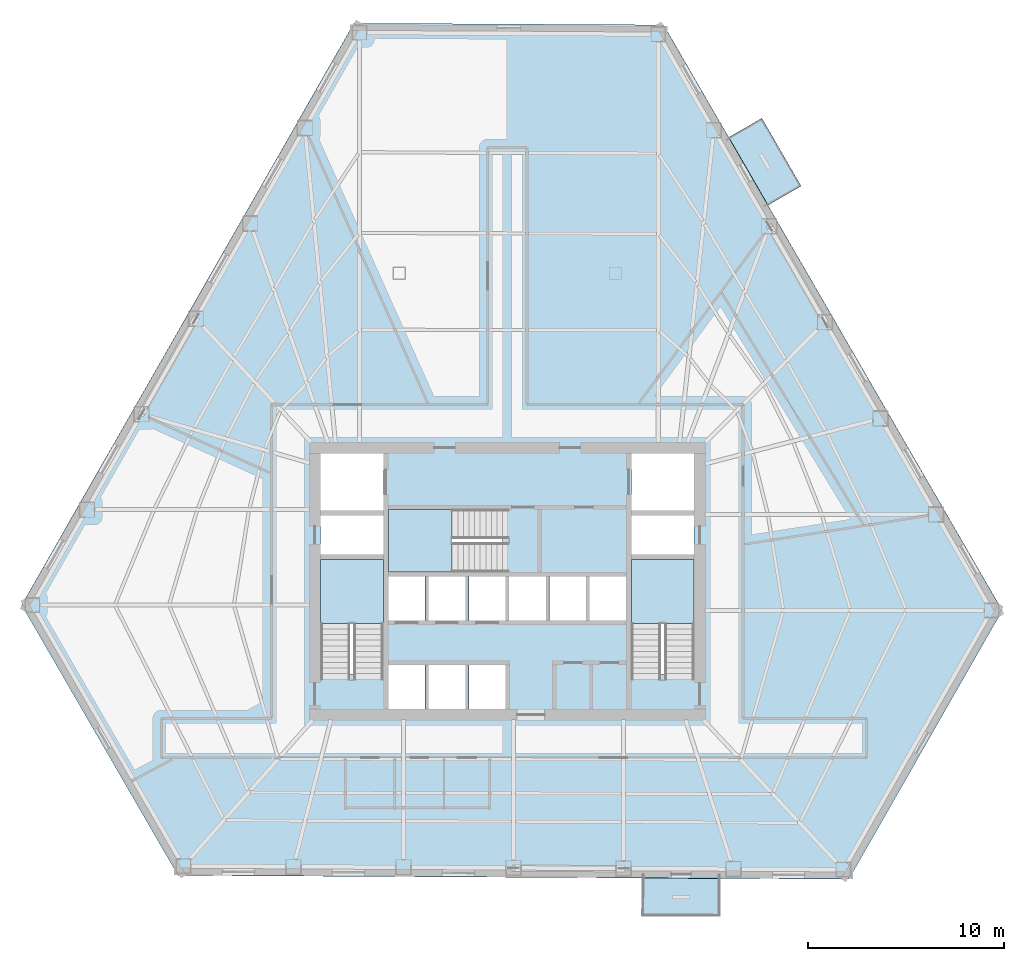
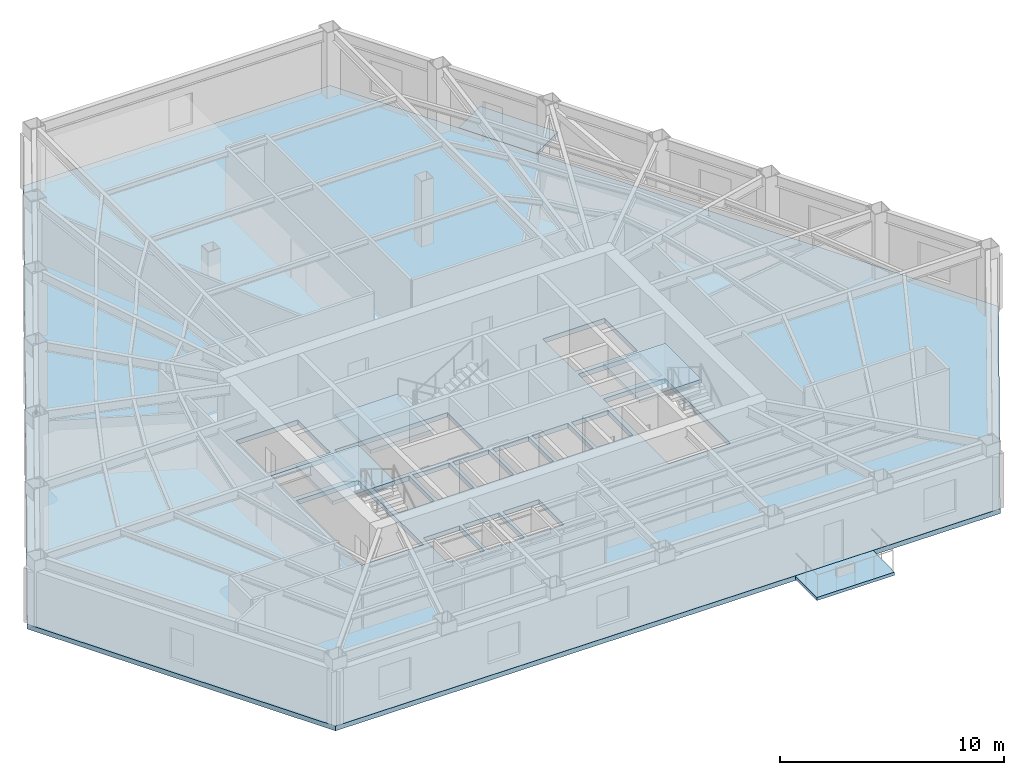
# One storey, part 3 of 12: 6 slabs, 3 elements without a shape of their own.
"""IFC4 building model written with IfcOpenShell, lengths in metres."""

import ifcopenshell
import ifcopenshell.guid

model = None  # the IFC model being written
_history = None  # IfcOwnerHistory: only IFC2X3 demands one
_inside = {}  # id of a spatial element -> (the spatial element, [elements in it])
_under = {}  # id of a project, library or spatial element -> (it, [spatial elements below it])
_declared = {}  # id of a project -> (the project, [libraries it declares])
_typed = {}  # id of a type object -> (the type object, [elements of that type])
_made_of = {}  # id of a material, layer set ... -> (it, [elements and type objects made of it])


def new_model(schema):
    """Start an empty IFC model of exactly this schema.

    Asked for "IFC4X3", IfcOpenShell would pick the latest addendum, in which some entities
    have other attributes; the version numbers below select the first issue.
    IFC2X3 requires an IfcOwnerHistory on every rooted entity: one is made here for all.
    """
    global model, _history
    if schema == "IFC4X3":
        model = ifcopenshell.file(schema_version=(4, 3, 0, 0))
    else:
        model = ifcopenshell.file(schema=schema)
    _inside.clear()
    _under.clear()
    _declared.clear()
    _typed.clear()
    _made_of.clear()
    _history = None
    if model.schema == "IFC2X3":
        org = make("IfcOrganization", Name="unknown")
        user = make(
            "IfcPersonAndOrganization",
            ThePerson=make("IfcPerson", FamilyName="unknown"),
            TheOrganization=org,
        )
        app = make(
            "IfcApplication",
            ApplicationDeveloper=org,
            Version="unknown",
            ApplicationFullName="unknown",
            ApplicationIdentifier="unknown",
        )
        _history = make(
            "IfcOwnerHistory",
            OwningUser=user,
            OwningApplication=app,
            ChangeAction="ADDED",
            CreationDate=0,
        )
    return model


def make(cls, **values):
    """One entity of the class cls with the attributes given. An attribute that is None is left unset."""
    return model.create_entity(
        cls, **{name: value for name, value in values.items() if value is not None}
    )


def rooted(cls, **values):
    """An entity with a GlobalId (a new one), such as an element, a storey or a relation."""
    return make(cls, GlobalId=ifcopenshell.guid.new(), OwnerHistory=_history, **values)


def si_unit(unit_type, name, prefix=None):
    """IfcSIUnit, for example si_unit("LENGTHUNIT", "METRE", prefix="MILLI")."""
    return make("IfcSIUnit", UnitType=unit_type, Prefix=prefix, Name=name)


def assignment(units):
    """IfcUnitAssignment: the units of a project."""
    return None if units is None else make("IfcUnitAssignment", Units=units)


def point(xyz):
    """IfcCartesianPoint."""
    return None if xyz is None else make("IfcCartesianPoint", Coordinates=xyz)


def direction(xyz):
    """IfcDirection."""
    return None if xyz is None else make("IfcDirection", DirectionRatios=xyz)


def frame(location, z_axis=None, x_axis=None):
    """IfcAxis2Placement3D, a coordinate frame: its origin and axes. An axis left out is left unset."""
    return make(
        "IfcAxis2Placement3D",
        Location=point(location),
        Axis=direction(z_axis),
        RefDirection=direction(x_axis),
    )


def origin():
    """The frame at (0, 0, 0) with its axes left unset."""
    return frame((0.0, 0.0, 0.0))


def place(relative_to, where):
    """IfcLocalPlacement: puts the frame where relative to a parent placement (None: the world)."""
    return make(
        "IfcLocalPlacement", PlacementRelTo=relative_to, RelativePlacement=where
    )


def context(
    kind, dimensions, precision=None, world=None, true_north=None, identifier=None
):
    """IfcGeometricRepresentationContext, for example the 3D "Model" context."""
    return make(
        "IfcGeometricRepresentationContext",
        ContextIdentifier=identifier,
        ContextType=kind,
        CoordinateSpaceDimension=dimensions,
        Precision=precision,
        WorldCoordinateSystem=world,
        TrueNorth=true_north,
    )


def subcontext(parent, identifier, kind, view, scale=None):
    """IfcGeometricRepresentationSubContext, for example "Body" below "Model"."""
    return make(
        "IfcGeometricRepresentationSubContext",
        ContextIdentifier=identifier,
        ContextType=kind,
        ParentContext=parent,
        TargetScale=scale,
        TargetView=view,
    )


def project(units=None, contexts=None):
    """IfcProject with its units and contexts."""
    return rooted(
        "IfcProject",
        Name="project",
        RepresentationContexts=contexts,
        UnitsInContext=assignment(units),
    )


def spatial(cls, under=None, at=None, **own):
    """A site, building, storey or space (cls), placed at a placement, below another one or the project."""
    s = rooted(cls, ObjectPlacement=at, **own)
    if under is not None:
        _under.setdefault(under.id(), (under, []))[1].append(s)
    return s


def polyline(points):
    """IfcPolyline through the points."""
    return make("IfcPolyline", Points=[point(p) for p in points])


def outline(outer, holes=None, kind="AREA"):
    """IfcArbitraryClosedProfileDef: a profile drawn as a closed curve; with holes, ...WithVoids."""
    if holes is None:
        return make("IfcArbitraryClosedProfileDef", ProfileType=kind, OuterCurve=outer)
    return make(
        "IfcArbitraryProfileDefWithVoids",
        ProfileType=kind,
        OuterCurve=outer,
        InnerCurves=holes,
    )


def extrude(swept, where, along, depth):
    """IfcExtrudedAreaSolid: the profile swept, set in the frame where, extruded along a direction by depth."""
    return make(
        "IfcExtrudedAreaSolid",
        SweptArea=swept,
        Position=where,
        ExtrudedDirection=direction(along),
        Depth=depth,
    )


def shape(context_of_items, identifier, shape_type, items):
    """IfcShapeRepresentation: the items that make up one representation, for example the "Body"."""
    return make(
        "IfcShapeRepresentation",
        ContextOfItems=context_of_items,
        RepresentationIdentifier=identifier,
        RepresentationType=shape_type,
        Items=items,
    )


def material(Name=None, Category=None):
    """IfcMaterial."""
    return make("IfcMaterial", Name=Name, Category=Category)


def layer(
    of_material, thickness, ventilated=None, Name=None, Category=None, Priority=None
):
    """IfcMaterialLayer: one layer of a wall or slab, of a material (None: an air gap)."""
    return make(
        "IfcMaterialLayer",
        Material=of_material,
        LayerThickness=thickness,
        IsVentilated=ventilated,
        Name=Name,
        Category=Category,
        Priority=Priority,
    )


def layer_set(layers, Name=None):
    """IfcMaterialLayerSet."""
    return make("IfcMaterialLayerSet", MaterialLayers=layers, LayerSetName=Name)


def made_of(thing, what):
    """Note that an element or type object is made of a material, layer set ...; save() writes the relation."""
    if what is not None:
        _made_of.setdefault(what.id(), (what, []))[1].append(thing)
    return thing


def type_object(cls, material=None, **own):
    """A type object (cls), such as IfcWallType, which elements share."""
    return made_of(rooted(cls, **own), material)


def element(
    cls,
    number,
    at=None,
    inside=None,
    cuts=None,
    type_object=None,
    material=None,
    context=None,
    identifier="Body",
    shape_type=None,
    held_by="IfcProductDefinitionShape",
    body=None,
    shapes=None,
    **own,
):
    """One element of the class cls, such as IfcWall. Its Tag is "e" and its number.

    at: its placement. inside: the storey or other place that contains it. cuts: it is an
    opening in that element (IfcRelVoidsElement). A single representation is given by context,
    identifier, shape_type and body (its items); several are given by shapes. held_by: the class
    of the entity that holds the representations. save() writes the other relations.
    """
    e = rooted(cls, Tag="e%d" % number, ObjectPlacement=at, **own)
    if body is not None:
        shapes = [shape(context, identifier, shape_type, body)]
    if shapes is not None:
        e.Representation = make(held_by, Representations=shapes)
    if inside is not None:
        _inside.setdefault(inside.id(), (inside, []))[1].append(e)
    if cuts is not None:
        rooted(
            "IfcRelVoidsElement", RelatingBuildingElement=cuts, RelatedOpeningElement=e
        )
    if type_object is not None:
        _typed.setdefault(type_object.id(), (type_object, []))[1].append(e)
    return made_of(e, material)


def aggregate(whole, parts):
    """IfcRelAggregates: a whole, such as a stair, and the parts it consists of."""
    return rooted("IfcRelAggregates", RelatingObject=whole, RelatedObjects=parts)


def save(model, path):
    """Write the relations noted so far, then the file.

    IfcRelAggregates (storeys below a building ...), IfcRelContainedInSpatialStructure (elements
    in a storey), IfcRelDefinesByType, IfcRelAssociatesMaterial and IfcRelDeclares: one each for
    every whole, place, type object, material and project.
    """
    for whole, parts in _under.values():
        aggregate(whole, parts)
    for where, things in _inside.values():
        rooted(
            "IfcRelContainedInSpatialStructure",
            RelatedElements=things,
            RelatingStructure=where,
        )
    for kind, things in _typed.values():
        rooted("IfcRelDefinesByType", RelatedObjects=things, RelatingType=kind)
    for what, things in _made_of.values():
        rooted("IfcRelAssociatesMaterial", RelatedObjects=things, RelatingMaterial=what)
    for by, libraries in _declared.values():
        rooted("IfcRelDeclares", RelatingContext=by, RelatedDefinitions=libraries)
    model.write(path)


model = new_model("IFC4")

# Units and contexts
model_context = context("Model", 3, precision=1e-05, world=origin(), true_north=direction((0.0, 1.0)))
body_context = subcontext(model_context, "Body", "Model", "MODEL_VIEW")
ifc_project = project(units=[si_unit("LENGTHUNIT", "METRE"), si_unit("AREAUNIT", "SQUARE_METRE"), si_unit("VOLUMEUNIT", "CUBIC_METRE"), si_unit("PLANEANGLEUNIT", "RADIAN"), si_unit("MASSUNIT", "GRAM", prefix="KILO")], contexts=[model_context])

# Site, building, storey
site_placement = place(None, origin())
site = spatial("IfcSite", under=ifc_project, at=site_placement, CompositionType="ELEMENT")
building_placement = place(site_placement, origin())
building = spatial("IfcBuilding", under=site, at=building_placement, Name="Kavelnor Concourse Tower", CompositionType="ELEMENT")
storey_placement = place(building_placement, frame((0.0, 0.0, 40.64990234375)))
storey = spatial("IfcBuildingStorey", under=building, at=storey_placement, Name="L10", CompositionType="ELEMENT", Elevation=40.64990234375)

# Slabs
ifc_material = material(Name="Concrete C40/50", Category="concrete")
ifc_layer_1 = layer(ifc_material, 0.169921875, Name="Concrete C40/50")
ifc_layer_set_1 = layer_set([ifc_layer_1], Name="Concrete C40/50")
slab_type_1 = type_object("IfcSlabType", Name="SLB-BALCONY-170", PredefinedType="FLOOR", material=ifc_layer_set_1)
slab_1_placement = place(storey_placement, frame((0.0, 0.0, -0.169921875)))
element("IfcSlab", 1, at=slab_1_placement, inside=storey, type_object=slab_type_1, Name="L10 Cantilevered Tree Balcony Slab 1", PredefinedType="FLOOR", context=body_context, shape_type="SweptSolid", body=[
    extrude(outline(polyline([(48.851318359375, -0.99853515625), (44.8515625, -0.9765625), (44.8623046875, 0.973388671875), (48.862060546875, 0.951416015625), (48.851318359375, -0.99853515625)])), origin(), (0.0, 0.0, 1.0), 0.169921875),
])
slab_2_placement = place(storey_placement, frame((0.0, 0.0, -0.169921875)))
element("IfcSlab", 2, at=slab_2_placement, inside=storey, type_object=slab_type_1, Name="L10 Cantilevered Tree Balcony Slab 2", PredefinedType="FLOOR", context=body_context, shape_type="SweptSolid", body=[
    extrude(outline(polyline([(50.973876953125, 39.70361328125), (52.9765625, 36.240966796875), (51.28857421875, 35.2646484375), (49.285888671875, 38.727294921875), (50.973876953125, 39.70361328125)])), origin(), (0.0, 0.0, 1.0), 0.169921875),
])

# Stair, slab
stair_type = type_object("IfcStairType", Name="STR-CORE-1500", PredefinedType="HALF_TURN_STAIR", material=ifc_material)
stair_1_placement = place(storey_placement, origin())
stair_1 = element("IfcStair", 3, at=stair_1_placement, inside=storey, type_object=stair_type, Name="L10 ST1", PredefinedType="HALF_TURN_STAIR")
ifc_layer_2 = layer(ifc_material, 0.199951171875, Name="Concrete C40/50")
ifc_layer_set_2 = layer_set([ifc_layer_2], Name="Concrete C40/50")
slab_type_2 = type_object("IfcSlabType", Name="SLB-LANDING-200", PredefinedType="LANDING", material=ifc_layer_set_2)
slab_3_placement = place(storey_placement, frame((0.0, 0.0, 1.72509765625)))
slab_3 = element("IfcSlab", 4, at=slab_3_placement, type_object=slab_type_2, Name="ST1 landing 1", PredefinedType="LANDING", context=body_context, shape_type="SweptSolid", body=[
    extrude(outline(polyline([(31.679931640625, 13.949951171875), (31.679931640625, 17.199951171875), (28.47998046875, 17.199951171875), (28.47998046875, 13.949951171875), (31.679931640625, 13.949951171875)])), origin(), (0.0, 0.0, 1.0), 0.199951171875),
])
aggregate(stair_1, [slab_3])

stair_2_placement = place(storey_placement, origin())
stair_2 = element("IfcStair", 5, at=stair_2_placement, inside=storey, type_object=stair_type, Name="L10 ST2", PredefinedType="HALF_TURN_STAIR")
slab_4_placement = place(storey_placement, frame((0.0, 0.0, 1.72509765625)))
slab_4 = element("IfcSlab", 6, at=slab_4_placement, type_object=slab_type_2, Name="ST2 landing 1", PredefinedType="LANDING", context=body_context, shape_type="SweptSolid", body=[
    extrude(outline(polyline([(47.52001953125, 13.949951171875), (47.52001953125, 17.199951171875), (44.320068359375, 17.199951171875), (44.320068359375, 13.949951171875), (47.52001953125, 13.949951171875)])), origin(), (0.0, 0.0, 1.0), 0.199951171875),
])
aggregate(stair_2, [slab_4])

stair_3_placement = place(storey_placement, origin())
stair_3 = element("IfcStair", 7, at=stair_3_placement, inside=storey, type_object=stair_type, Name="L10 ST3", PredefinedType="HALF_TURN_STAIR")
slab_5_placement = place(storey_placement, frame((0.0, 0.0, 1.72509765625)))
slab_5 = element("IfcSlab", 8, at=slab_5_placement, type_object=slab_type_2, Name="ST3 landing 1", PredefinedType="LANDING", context=body_context, shape_type="SweptSolid", body=[
    extrude(outline(polyline([(35.18994140625, 19.760009765625), (31.93994140625, 19.760009765625), (31.93994140625, 16.56005859375), (35.18994140625, 16.56005859375), (35.18994140625, 19.760009765625)])), origin(), (0.0, 0.0, 1.0), 0.199951171875),
])
aggregate(stair_3, [slab_5])

# Slab
ifc_layer_3 = layer(ifc_material, 0.260009765625, Name="Concrete C40/50")
ifc_layer_set_3 = layer_set([ifc_layer_3], Name="Concrete C40/50")
slab_type_3 = type_object("IfcSlabType", Name="SLB-OFFICE-260", PredefinedType="FLOOR", material=ifc_layer_set_3)
slab_6_placement = place(storey_placement, frame((0.0, 0.0, -0.260009765625)))
element("IfcSlab", 9, at=slab_6_placement, inside=storey, type_object=slab_type_3, Name="L10 Composite Structural Floor Slab", PredefinedType="FLOOR", context=body_context, shape_type="SweptSolid", body=[
    extrude(outline(polyline([(45.9716796875, 44.457275390625), (30.17822265625, 44.5439453125), (13.2412109375, 14.885986328125), (21.212890625, 1.10302734375), (55.411865234375, 0.91552734375), (63.233642578125, 14.61181640625), (45.9716796875, 44.457275390625)]), holes=[polyline([(28.47998046875, 11.3798828125), (31.679931640625, 11.3798828125), (31.679931640625, 17.199951171875), (28.47998046875, 17.199951171875), (28.47998046875, 11.3798828125)]), polyline([(44.320068359375, 11.3798828125), (47.52001953125, 11.3798828125), (47.52001953125, 17.199951171875), (44.320068359375, 17.199951171875), (44.320068359375, 11.3798828125)]), polyline([(31.93994140625, 16.56005859375), (37.760009765625, 16.56005859375), (37.760009765625, 19.760009765625), (31.93994140625, 19.760009765625), (31.93994140625, 16.56005859375)]), polyline([(28.47998046875, 19.699951171875), (31.679931640625, 19.699951171875), (31.679931640625, 22.60009765625), (28.47998046875, 22.60009765625), (28.47998046875, 19.699951171875)]), polyline([(44.320068359375, 19.699951171875), (47.52001953125, 19.699951171875), (47.52001953125, 22.60009765625), (44.320068359375, 22.60009765625), (44.320068359375, 19.699951171875)]), polyline([(31.93994140625, 14.10009765625), (33.81005859375, 14.10009765625), (33.81005859375, 16.340087890625), (31.93994140625, 16.340087890625), (31.93994140625, 14.10009765625)]), polyline([(33.989990234375, 14.10009765625), (35.860107421875, 14.10009765625), (35.860107421875, 16.340087890625), (33.989990234375, 16.340087890625), (33.989990234375, 14.10009765625)]), polyline([(36.0400390625, 14.10009765625), (37.909912109375, 14.10009765625), (37.909912109375, 16.340087890625), (36.0400390625, 16.340087890625), (36.0400390625, 14.10009765625)]), polyline([(38.090087890625, 14.10009765625), (39.9599609375, 14.10009765625), (39.9599609375, 16.340087890625), (38.090087890625, 16.340087890625), (38.090087890625, 14.10009765625)]), polyline([(40.139892578125, 14.10009765625), (42.010009765625, 14.10009765625), (42.010009765625, 16.340087890625), (40.139892578125, 16.340087890625), (40.139892578125, 14.10009765625)]), polyline([(42.18994140625, 14.10009765625), (44.06005859375, 14.10009765625), (44.06005859375, 16.340087890625), (42.18994140625, 16.340087890625), (42.18994140625, 14.10009765625)]), polyline([(31.93994140625, 9.60009765625), (33.81005859375, 9.60009765625), (33.81005859375, 11.840087890625), (31.93994140625, 11.840087890625), (31.93994140625, 9.60009765625)]), polyline([(33.989990234375, 9.60009765625), (35.860107421875, 9.60009765625), (35.860107421875, 11.840087890625), (33.989990234375, 11.840087890625), (33.989990234375, 9.60009765625)]), polyline([(36.0400390625, 9.60009765625), (37.909912109375, 9.60009765625), (37.909912109375, 11.840087890625), (36.0400390625, 11.840087890625), (36.0400390625, 9.60009765625)]), polyline([(28.47998046875, 17.4599609375), (31.679931640625, 17.4599609375), (31.679931640625, 19.43994140625), (28.47998046875, 19.43994140625), (28.47998046875, 17.4599609375)]), polyline([(44.320068359375, 17.4599609375), (47.52001953125, 17.4599609375), (47.52001953125, 19.43994140625), (44.320068359375, 19.43994140625), (44.320068359375, 17.4599609375)])]), origin(), (0.0, 0.0, 1.0), 0.260009765625),
])

save(model, "model.ifc")
